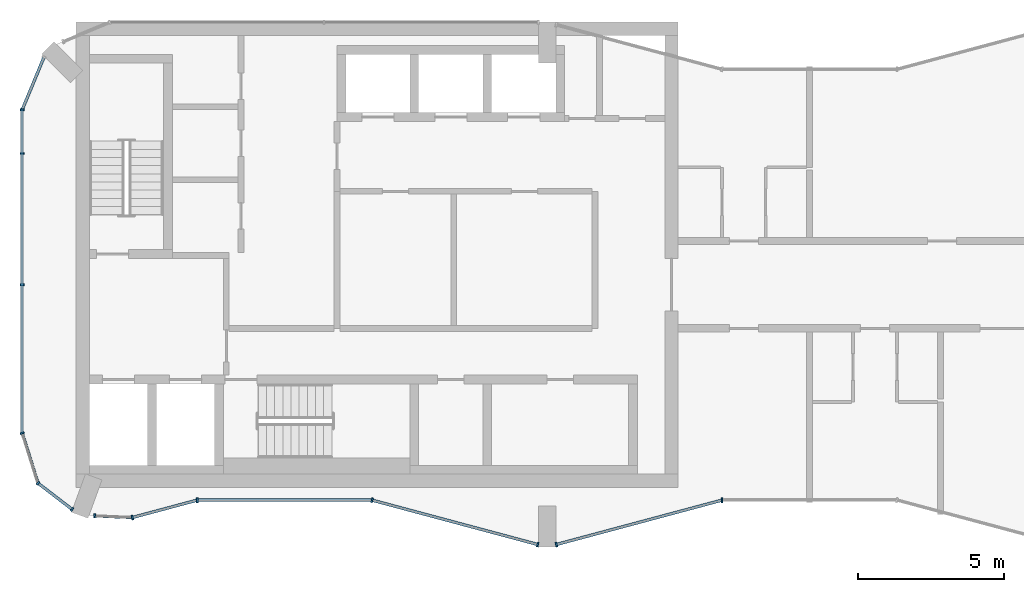
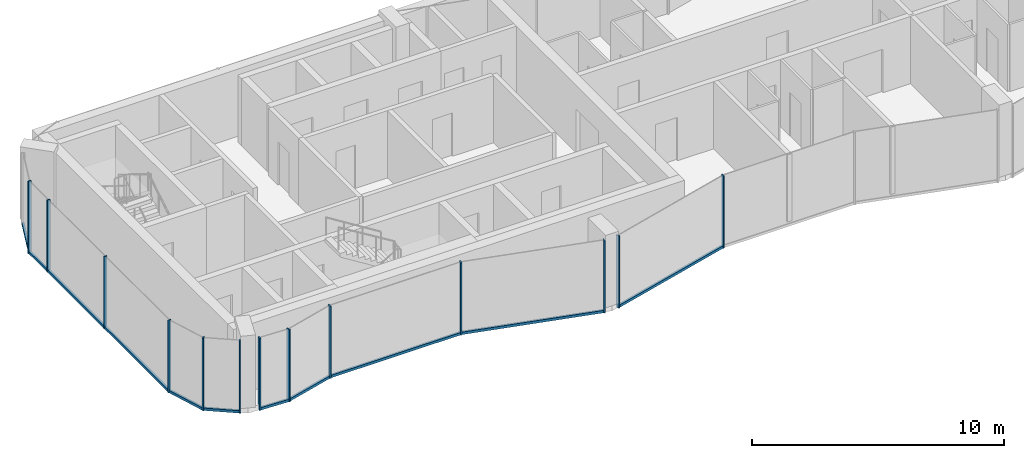
# One storey, part 2 of 10: 22 members, 10 elements without a shape of their own.
"""IFC4 building model written with IfcOpenShell, lengths in metres."""

from ifc_helpers import new_model, si_unit, direction, frame, origin, origin_2d, place, context, subcontext, project, spatial, rectangle, extrude, material, layer, layer_set, material_profile, profile_set, type_object, element, aggregate, save


model = new_model("IFC4")

# Units and contexts
model_context = context("Model", 3, precision=1e-05, world=origin(), true_north=direction((0.0, 1.0)))
body_context = subcontext(model_context, "Body", "Model", "MODEL_VIEW")
ifc_project = project(units=[si_unit("LENGTHUNIT", "METRE"), si_unit("AREAUNIT", "SQUARE_METRE"), si_unit("VOLUMEUNIT", "CUBIC_METRE"), si_unit("PLANEANGLEUNIT", "RADIAN"), si_unit("MASSUNIT", "GRAM", prefix="KILO")], contexts=[model_context])

# Site, building, storey
site_placement = place(None, origin())
site = spatial("IfcSite", under=ifc_project, at=site_placement, CompositionType="ELEMENT")
building_placement = place(site_placement, origin())
building = spatial("IfcBuilding", under=site, at=building_placement, Name="Plateau Cross Towers", CompositionType="ELEMENT")
storey_placement = place(building_placement, frame((0.0, 0.0, 266.89990234375)))
storey = spatial("IfcBuildingStorey", under=building, at=storey_placement, Name="L70", CompositionType="ELEMENT", Elevation=266.89990234375)

# Curtain wall, members
ifc_material_1 = material(Name="Dark low-iron glass", Category="glass")
ifc_layer_1 = layer(ifc_material_1, 0.239990234375)
ifc_layer_set_1 = layer_set([ifc_layer_1], Name="Dark low-iron glass")
curtain_wall_type_1 = type_object("IfcCurtainWallType", Name="Curtain wall flush unitised CW-B", PredefinedType="NOTDEFINED", material=ifc_layer_set_1)
curtain_wall_1_placement = place(storey_placement, origin())
curtain_wall_1 = element("IfcCurtainWall", 1, at=curtain_wall_1_placement, inside=storey, type_object=curtain_wall_type_1, Name="ENV/A/L70/A0_150", PredefinedType="NOTDEFINED")
ifc_material_2 = material(Name="Black anodised aluminium", Category="aluminium")
ifc_material_profile_1 = material_profile(ifc_material_2, rectangle(XDim=0.06005859375, YDim=0.139892578125, at=origin_2d()), Name="MULLION 60x140")
ifc_profile_set_1 = profile_set([ifc_material_profile_1], Name="Black anodised aluminium")
member_type_1 = type_object("IfcMemberType", Name="Mullion 60x140 flush unitised", PredefinedType="MULLION", material=ifc_profile_set_1)
member_1_placement = place(storey_placement, frame((0.0, 15.0, -0.25), z_axis=(0.0, 0.0, 1.0), x_axis=(0.0, -1.0, 0.0)))
member_1 = element("IfcMember", 2, at=member_1_placement, type_object=member_type_1, Name="CW-B mullion 1", PredefinedType="MULLION", context=body_context, shape_type="SweptSolid", body=[
    extrude(rectangle(XDim=0.06005859375, YDim=0.139892578125, at=origin_2d()), origin(), (0.0, 0.0, 1.0), 3.5),
])
member_2_placement = place(storey_placement, frame((0.0, 13.5, -0.25), z_axis=(0.0, 0.0, 1.0), x_axis=(0.0, -1.0, 0.0)))
member_2 = element("IfcMember", 3, at=member_2_placement, type_object=member_type_1, Name="CW-B mullion 2", PredefinedType="MULLION", context=body_context, shape_type="SweptSolid", body=[
    extrude(rectangle(XDim=0.06005859375, YDim=0.139892578125, at=origin_2d()), origin(), (0.0, 0.0, 1.0), 3.5),
])
member_3_placement = place(storey_placement, frame((0.0, 9.0, -0.25), z_axis=(0.0, 0.0, 1.0), x_axis=(0.0, -1.0, 0.0)))
member_3 = element("IfcMember", 4, at=member_3_placement, type_object=member_type_1, Name="CW-B mullion 3", PredefinedType="MULLION", context=body_context, shape_type="SweptSolid", body=[
    extrude(rectangle(XDim=0.06005859375, YDim=0.139892578125, at=origin_2d()), origin(), (0.0, 0.0, 1.0), 3.5),
])

# Curtain wall, member
curtain_wall_2_placement = place(storey_placement, origin())
curtain_wall_2 = element("IfcCurtainWall", 5, at=curtain_wall_2_placement, inside=storey, type_object=curtain_wall_type_1, Name="ENV/A/L70/A0_39", PredefinedType="NOTDEFINED")
member_4_placement = place(storey_placement, frame((0.0, 3.9091796875, -0.25), z_axis=(0.0, 0.0, 1.0), x_axis=(0.300686174994, -0.95372313811, 0.0)))
member_4 = element("IfcMember", 6, at=member_4_placement, type_object=member_type_1, Name="CW-B mullion 1", PredefinedType="MULLION", context=body_context, shape_type="SweptSolid", body=[
    extrude(rectangle(XDim=0.06005859375, YDim=0.139892578125, at=origin_2d()), origin(), (0.0, 0.0, 1.0), 3.5),
])

# Curtain wall, members
curtain_wall_3_placement = place(storey_placement, origin())
curtain_wall_3 = element("IfcCurtainWall", 7, at=curtain_wall_3_placement, inside=storey, type_object=curtain_wall_type_1, Name="ENV/A/L70/A5_22", PredefinedType="NOTDEFINED")
member_5_placement = place(storey_placement, frame((0.54248046875, 2.1884765625, -0.25), z_axis=(0.0, 0.0, 1.0), x_axis=(0.793315514529, -0.608810721331, 0.0)))
member_5 = element("IfcMember", 8, at=member_5_placement, type_object=member_type_1, Name="CW-B mullion 1", PredefinedType="MULLION", context=body_context, shape_type="SweptSolid", body=[
    extrude(rectangle(XDim=0.06005859375, YDim=0.139892578125, at=origin_2d()), origin(), (0.0, 0.0, 1.0), 3.5),
])
member_6_placement = place(storey_placement, frame((1.709716796875, 1.292724609375, -0.25), z_axis=(0.0, 0.0, 1.0), x_axis=(0.793315514529, -0.608810721331, 0.0)))
member_6 = element("IfcMember", 9, at=member_6_placement, type_object=member_type_1, Name="CW-B mullion 2", PredefinedType="MULLION", context=body_context, shape_type="SweptSolid", body=[
    extrude(rectangle(XDim=0.06005859375, YDim=0.139892578125, at=origin_2d()), origin(), (0.0, 0.0, 1.0), 3.5),
])

# Curtain wall, member
curtain_wall_4_placement = place(storey_placement, origin())
curtain_wall_4 = element("IfcCurtainWall", 10, at=curtain_wall_4_placement, inside=storey, type_object=curtain_wall_type_1, Name="ENV/A/L70/A25_11", PredefinedType="NOTDEFINED")
member_7_placement = place(storey_placement, frame((2.483642578125, 1.06787109375, -0.25), z_axis=(0.0, 0.0, 1.0), x_axis=(0.999043701491, -0.043722791671, 0.0)))
member_7 = element("IfcMember", 11, at=member_7_placement, type_object=member_type_1, Name="CW-B mullion 1", PredefinedType="MULLION", context=body_context, shape_type="SweptSolid", body=[
    extrude(rectangle(XDim=0.06005859375, YDim=0.139892578125, at=origin_2d()), origin(), (0.0, 0.0, 1.0), 3.5),
])

ifc_layer_2 = layer(ifc_material_1, 0.260009765625)
ifc_layer_set_2 = layer_set([ifc_layer_2], Name="Dark low-iron glass")
curtain_wall_type_2 = type_object("IfcCurtainWallType", Name="Curtain wall fluted unitised CW-A", PredefinedType="NOTDEFINED", material=ifc_layer_set_2)
curtain_wall_5_placement = place(storey_placement, origin())
curtain_wall_5 = element("IfcCurtainWall", 12, at=curtain_wall_5_placement, inside=storey, type_object=curtain_wall_type_2, Name="ENV/A/L70/A38_10", PredefinedType="NOTDEFINED")
ifc_material_profile_2 = material_profile(ifc_material_2, rectangle(XDim=0.06005859375, YDim=0.159912109375, at=origin_2d()), Name="MULLION 60x160")
ifc_profile_set_2 = profile_set([ifc_material_profile_2], Name="Black anodised aluminium")
member_type_2 = type_object("IfcMemberType", Name="Mullion 60x160 fluted unitised", PredefinedType="MULLION", material=ifc_profile_set_2)
member_8_placement = place(storey_placement, frame((3.776123046875, 1.01123046875, -0.25), z_axis=(0.0, 0.0, 1.0), x_axis=(0.965957962328, 0.258699081978, 0.0)))
member_8 = element("IfcMember", 13, at=member_8_placement, type_object=member_type_2, Name="CW-A mullion 1", PredefinedType="MULLION", context=body_context, shape_type="SweptSolid", body=[
    extrude(rectangle(XDim=0.06005859375, YDim=0.159912109375, at=origin_2d()), origin(), (0.0, 0.0, 1.0), 3.5),
])

curtain_wall_6_placement = place(storey_placement, origin())
curtain_wall_6 = element("IfcCurtainWall", 14, at=curtain_wall_6_placement, inside=storey, type_object=curtain_wall_type_2, Name="ENV/A/L70/A60_16", PredefinedType="NOTDEFINED")
member_9_placement = place(storey_placement, frame((6.0, 1.60693359375, -0.25), z_axis=(0.0, 0.0, 1.0), x_axis=(1.0, 0.0, 0.0)))
member_9 = element("IfcMember", 15, at=member_9_placement, type_object=member_type_2, Name="CW-A mullion 1", PredefinedType="MULLION", context=body_context, shape_type="SweptSolid", body=[
    extrude(rectangle(XDim=0.06005859375, YDim=0.159912109375, at=origin_2d()), origin(), (0.0, 0.0, 1.0), 3.5),
])

# Curtain wall, members
curtain_wall_7_placement = place(storey_placement, origin())
curtain_wall_7 = element("IfcCurtainWall", 16, at=curtain_wall_7_placement, inside=storey, type_object=curtain_wall_type_2, Name="ENV/A/L70/A120_16", PredefinedType="NOTDEFINED")
member_10_placement = place(storey_placement, frame((12.0, 1.60693359375, -0.25), z_axis=(0.0, 0.0, 1.0), x_axis=(0.965957983404, -0.258699003279, 0.0)))
member_10 = element("IfcMember", 17, at=member_10_placement, type_object=member_type_2, Name="CW-A mullion 1", PredefinedType="MULLION", context=body_context, shape_type="SweptSolid", body=[
    extrude(rectangle(XDim=0.06005859375, YDim=0.159912109375, at=origin_2d()), origin(), (0.0, 0.0, 1.0), 3.5),
])
member_11_placement = place(storey_placement, frame((17.68212890625, 0.085205078125, -0.25), z_axis=(0.0, 0.0, 1.0), x_axis=(0.965957983404, -0.258699003279, 0.0)))
member_11 = element("IfcMember", 18, at=member_11_placement, type_object=member_type_2, Name="CW-A mullion 2", PredefinedType="MULLION", context=body_context, shape_type="SweptSolid", body=[
    extrude(rectangle(XDim=0.06005859375, YDim=0.159912109375, at=origin_2d()), origin(), (0.0, 0.0, 1.0), 3.5),
])

# Curtain wall, member
curtain_wall_8_placement = place(storey_placement, origin())
curtain_wall_8 = element("IfcCurtainWall", 19, at=curtain_wall_8_placement, inside=storey, type_object=curtain_wall_type_2, Name="ENV/A/L70/A183_1", PredefinedType="NOTDEFINED")
member_12_placement = place(storey_placement, frame((18.31787109375, 0.085205078125, -0.25), z_axis=(0.0, 0.0, 1.0), x_axis=(0.965957983404, 0.258699003279, 0.0)))
member_12 = element("IfcMember", 20, at=member_12_placement, type_object=member_type_2, Name="CW-A mullion 1", PredefinedType="MULLION", context=body_context, shape_type="SweptSolid", body=[
    extrude(rectangle(XDim=0.06005859375, YDim=0.159912109375, at=origin_2d()), origin(), (0.0, 0.0, 1.0), 3.5),
])

curtain_wall_9_placement = place(storey_placement, origin())
curtain_wall_9 = element("IfcCurtainWall", 21, at=curtain_wall_9_placement, inside=storey, type_object=curtain_wall_type_2, Name="ENV/A/L70/A240_16", PredefinedType="NOTDEFINED")
member_13_placement = place(storey_placement, frame((24.0, 1.60693359375, -0.25), z_axis=(0.0, 0.0, 1.0), x_axis=(1.0, 0.0, 0.0)))
member_13 = element("IfcMember", 22, at=member_13_placement, type_object=member_type_2, Name="CW-A mullion 1", PredefinedType="MULLION", context=body_context, shape_type="SweptSolid", body=[
    extrude(rectangle(XDim=0.06005859375, YDim=0.159912109375, at=origin_2d()), origin(), (0.0, 0.0, 1.0), 3.5),
])
aggregate(curtain_wall_9, [member_13])

curtain_wall_10_placement = place(storey_placement, origin())
curtain_wall_10 = element("IfcCurtainWall", 23, at=curtain_wall_10_placement, inside=storey, type_object=curtain_wall_type_1, Name="ENV/A/L70/A7_168", PredefinedType="NOTDEFINED")
ifc_material_profile_3 = material_profile(ifc_material_2, rectangle(XDim=0.10009765625, YDim=0.1201171875, at=origin_2d()), Name="TRANSOM 100x120")
ifc_profile_set_3 = profile_set([ifc_material_profile_3], Name="Black anodised aluminium")
member_type_3 = type_object("IfcMemberType", Name="Transom 100x120 flush unitised", PredefinedType="USERDEFINED", material=ifc_profile_set_3)
member_14_placement = place(storey_placement, frame((0.748046875, 16.805908203125, -0.18994140625), z_axis=(-0.382690071798, -0.92387678234, 0.0), x_axis=(0.92387678234, -0.382690071798, 0.0)))
member_14 = element("IfcMember", 24, at=member_14_placement, type_object=member_type_3, Name="CW-B transom", ObjectType="TRANSOM", PredefinedType="USERDEFINED", context=body_context, shape_type="SweptSolid", body=[
    extrude(rectangle(XDim=0.10009765625, YDim=0.1201171875, at=origin_2d()), origin(), (0.0, 0.0, 1.0), 1.95458984375),
])
aggregate(curtain_wall_10, [member_14])

# Member
member_15_placement = place(storey_placement, frame((0.0, 15.0, -0.18994140625), z_axis=(0.0, -1.0, 0.0), x_axis=(1.0, 0.0, 0.0)))
member_15 = element("IfcMember", 25, at=member_15_placement, type_object=member_type_3, Name="CW-B transom", ObjectType="TRANSOM", PredefinedType="USERDEFINED", context=body_context, shape_type="SweptSolid", body=[
    extrude(rectangle(XDim=0.10009765625, YDim=0.1201171875, at=origin_2d()), origin(), (0.0, 0.0, 1.0), 11.0908203125),
])

aggregate(curtain_wall_1, [member_1, member_2, member_3, member_15])

member_16_placement = place(storey_placement, frame((0.0, 3.9091796875, -0.18994140625), z_axis=(0.30067799945, -0.953725715626, 0.0), x_axis=(0.953725715626, 0.30067799945, 0.0)))
member_16 = element("IfcMember", 26, at=member_16_placement, type_object=member_type_3, Name="CW-B transom", ObjectType="TRANSOM", PredefinedType="USERDEFINED", context=body_context, shape_type="SweptSolid", body=[
    extrude(rectangle(XDim=0.10009765625, YDim=0.1201171875, at=origin_2d()), origin(), (0.0, 0.0, 1.0), 1.80419921875),
])

aggregate(curtain_wall_2, [member_4, member_16])

member_17_placement = place(storey_placement, frame((0.54248046875, 2.1884765625, -0.18994140625), z_axis=(0.793320508571, -0.608804213751, 0.0), x_axis=(0.608804213751, 0.793320508571, 0.0)))
member_17 = element("IfcMember", 27, at=member_17_placement, type_object=member_type_3, Name="CW-B transom", ObjectType="TRANSOM", PredefinedType="USERDEFINED", context=body_context, shape_type="SweptSolid", body=[
    extrude(rectangle(XDim=0.10009765625, YDim=0.1201171875, at=origin_2d()), origin(), (0.0, 0.0, 1.0), 1.471435546875),
])

aggregate(curtain_wall_3, [member_5, member_6, member_17])

member_18_placement = place(storey_placement, frame((2.483642578125, 1.06787109375, -0.18994140625), z_axis=(0.999041144614, -0.043781175963, 0.0), x_axis=(0.043781175963, 0.999041144614, 0.0)))
member_18 = element("IfcMember", 28, at=member_18_placement, type_object=member_type_3, Name="CW-B transom", ObjectType="TRANSOM", PredefinedType="USERDEFINED", context=body_context, shape_type="SweptSolid", body=[
    extrude(rectangle(XDim=0.10009765625, YDim=0.1201171875, at=origin_2d()), origin(), (0.0, 0.0, 1.0), 1.293701171875),
])

aggregate(curtain_wall_4, [member_7, member_18])

ifc_material_profile_4 = material_profile(ifc_material_2, rectangle(XDim=0.10009765625, YDim=0.1201171875, at=origin_2d()), Name="TRANSOM 100x120")
ifc_profile_set_4 = profile_set([ifc_material_profile_4], Name="Black anodised aluminium")
member_type_4 = type_object("IfcMemberType", Name="Transom 100x120 fluted unitised", PredefinedType="USERDEFINED", material=ifc_profile_set_4)
member_19_placement = place(storey_placement, frame((3.776123046875, 1.01123046875, -0.18994140625), z_axis=(0.965945685136, 0.258744919501, 0.0), x_axis=(-0.258744919501, 0.965945685136, 0.0)))
member_19 = element("IfcMember", 29, at=member_19_placement, type_object=member_type_4, Name="CW-A transom", ObjectType="TRANSOM", PredefinedType="USERDEFINED", context=body_context, shape_type="SweptSolid", body=[
    extrude(rectangle(XDim=0.10009765625, YDim=0.1201171875, at=origin_2d()), origin(), (0.0, 0.0, 1.0), 2.30224609375),
])

aggregate(curtain_wall_5, [member_8, member_19])

member_20_placement = place(storey_placement, frame((6.0, 1.60693359375, -0.18994140625), z_axis=(1.0, 0.0, 0.0), x_axis=(0.0, 1.0, 0.0)))
member_20 = element("IfcMember", 30, at=member_20_placement, type_object=member_type_4, Name="CW-A transom", ObjectType="TRANSOM", PredefinedType="USERDEFINED", context=body_context, shape_type="SweptSolid", body=[
    extrude(rectangle(XDim=0.10009765625, YDim=0.1201171875, at=origin_2d()), origin(), (0.0, 0.0, 1.0), 6.0),
])

aggregate(curtain_wall_6, [member_9, member_20])

member_21_placement = place(storey_placement, frame((12.0, 1.60693359375, -0.18994140625), z_axis=(0.965959534794, -0.258693210465, 0.0), x_axis=(0.258693210465, 0.965959534794, 0.0)))
member_21 = element("IfcMember", 31, at=member_21_placement, type_object=member_type_4, Name="CW-A transom", ObjectType="TRANSOM", PredefinedType="USERDEFINED", context=body_context, shape_type="SweptSolid", body=[
    extrude(rectangle(XDim=0.10009765625, YDim=0.1201171875, at=origin_2d()), origin(), (0.0, 0.0, 1.0), 5.88232421875),
])

aggregate(curtain_wall_7, [member_10, member_11, member_21])

member_22_placement = place(storey_placement, frame((18.31787109375, 0.085205078125, -0.18994140625), z_axis=(0.965959534794, 0.258693210465, 0.0), x_axis=(-0.258693210465, 0.965959534794, 0.0)))
member_22 = element("IfcMember", 32, at=member_22_placement, type_object=member_type_4, Name="CW-A transom", ObjectType="TRANSOM", PredefinedType="USERDEFINED", context=body_context, shape_type="SweptSolid", body=[
    extrude(rectangle(XDim=0.10009765625, YDim=0.1201171875, at=origin_2d()), origin(), (0.0, 0.0, 1.0), 5.88232421875),
])

aggregate(curtain_wall_8, [member_12, member_22])

save(model, "model.ifc")
